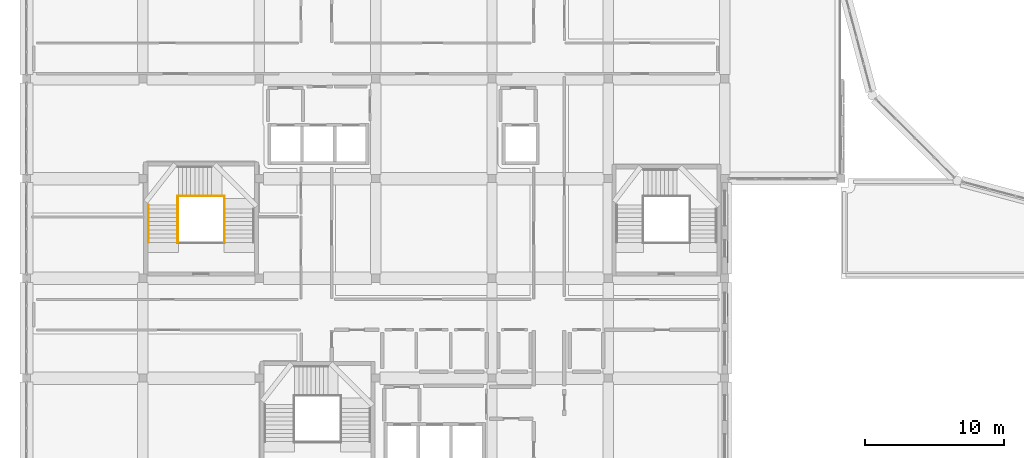
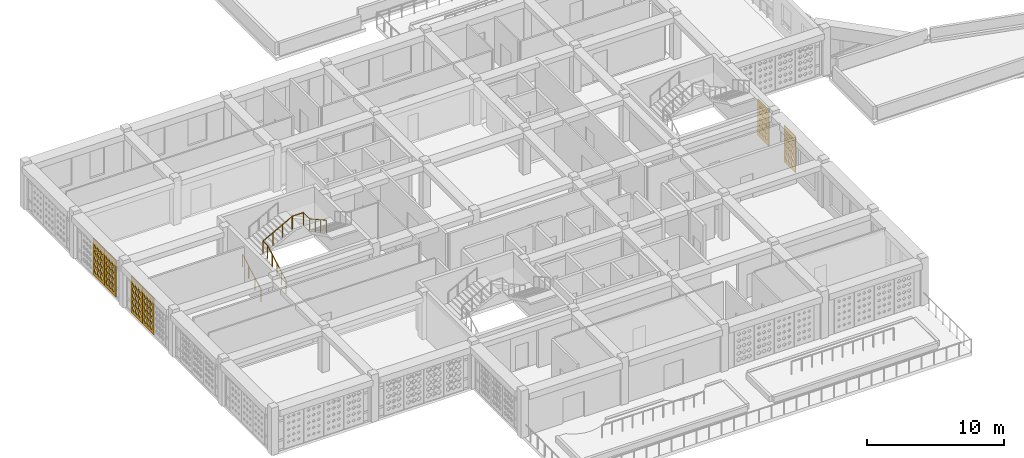
# One storey, part 40 of 48: 6 coverings, 4 railings.
"""IFC4 building model written with IfcOpenShell, lengths in metres."""

from ifc_helpers import new_model, si_unit, derived_unit, direction, frame, origin, origin_2d, place, context, subcontext, project, spatial, polyline, circle, outline, extrude, material, layer, layer_set, type_object, element, save


model = new_model("IFC4")

# Units and contexts
model_context = context("Model", 3, precision=1e-05, world=origin(), true_north=direction((0.0, 1.0)))
body_context = subcontext(model_context, "Body", "Model", "MODEL_VIEW")
ifc_project = project(units=[si_unit("LENGTHUNIT", "METRE"), si_unit("AREAUNIT", "SQUARE_METRE"), si_unit("VOLUMEUNIT", "CUBIC_METRE"), si_unit("PLANEANGLEUNIT", "RADIAN"), si_unit("MASSUNIT", "GRAM", prefix="KILO"), derived_unit("THERMALTRANSMITTANCEUNIT", [(si_unit("POWERUNIT", "WATT"), 1), (si_unit("LENGTHUNIT", "METRE"), -2), (si_unit("THERMODYNAMICTEMPERATUREUNIT", "KELVIN"), -1)])], contexts=[model_context])

# Site, building, storey
site_placement = place(None, origin())
site = spatial("IfcSite", under=ifc_project, at=site_placement, CompositionType="ELEMENT")
building_placement = place(site_placement, origin())
building = spatial("IfcBuilding", under=site, at=building_placement, Name="Veybourne Emporium", CompositionType="ELEMENT")
storey_placement = place(building_placement, frame((0.0, 0.0, 27.89990234375)))
storey = spatial("IfcBuildingStorey", under=building, at=storey_placement, Name="L06", CompositionType="ELEMENT", Elevation=27.89990234375)

# Railings
ifc_material_1 = material(Name="Brushed Stainless Steel", Category="steel")
railing_type_1 = type_object("IfcRailingType", Name="Guard_GR-01", PredefinedType="GUARDRAIL", material=ifc_material_1)
railing_1_placement = place(storey_placement, frame((10.909912109375, 31.39990234375, 0.0)))
element("IfcRailing", 1, at=railing_1_placement, inside=storey, type_object=railing_type_1, Name="L06 ST-02 stair guard 1", PredefinedType="GUARDRAIL", context=body_context, shape_type="SweptSolid", body=[
    extrude(circle(Radius=0.02392578125, at=origin_2d()), frame((0.0, 0.0, 1.1259765625), z_axis=(0.0, 0.874172188743, 0.48561608749), x_axis=(-1.0, 0.0, 0.0)), (0.0, 0.0, 1.0), 3.0888671875),
    extrude(circle(Radius=0.02392578125, at=origin_2d()), frame((0.0, 2.7001953125, 2.6259765625), z_axis=(0.0, 1.0, 0.0), x_axis=(-1.0, 0.0, 0.0)), (0.0, 0.0, 1.0), 0.639892578125),
    extrude(circle(Radius=0.02099609375, at=origin_2d()), origin(), (0.0, 0.0, 1.0), 1.101806640625),
    extrude(circle(Radius=0.02099609375, at=origin_2d()), frame((0.0, 0.675048828125, 0.375)), (0.0, 0.0, 1.0), 1.101806640625),
    extrude(circle(Radius=0.02099609375, at=origin_2d()), frame((0.0, 1.35009765625, 0.75)), (0.0, 0.0, 1.0), 1.101806640625),
    extrude(circle(Radius=0.02099609375, at=origin_2d()), frame((0.0, 2.025146484375, 1.125)), (0.0, 0.0, 1.0), 1.101806640625),
    extrude(circle(Radius=0.02099609375, at=origin_2d()), frame((0.0, 2.7001953125, 1.5)), (0.0, 0.0, 1.0), 1.101806640625),
    extrude(circle(Radius=0.02099609375, at=origin_2d()), frame((0.0, 3.340087890625, 1.5)), (0.0, 0.0, 1.0), 1.101806640625),
])
railing_2_placement = place(storey_placement, frame((10.909912109375, 34.739990234375, 1.5)))
element("IfcRailing", 2, at=railing_2_placement, inside=storey, type_object=railing_type_1, Name="L06 ST-02 stair guard 2", PredefinedType="GUARDRAIL", context=body_context, shape_type="SweptSolid", body=[
    extrude(circle(Radius=0.02392578125, at=origin_2d()), frame((0.0, 0.0, 1.1259765625), z_axis=(0.875002482228, 0.0, 0.484118431888), x_axis=(0.0, 1.0, 0.0)), (0.0, 0.0, 1.0), 2.788818359375),
    extrude(circle(Radius=0.02392578125, at=origin_2d()), frame((2.440185546875, 0.0, 2.47607421875), z_axis=(1.0, 0.0, 0.0), x_axis=(0.0, 1.0, 0.0)), (0.0, 0.0, 1.0), 0.93994140625),
    extrude(circle(Radius=0.02099609375, at=origin_2d()), origin(), (0.0, 0.0, 1.0), 1.101806640625),
    extrude(circle(Radius=0.02099609375, at=origin_2d()), frame((0.8134765625, 0.0, 0.449951171875)), (0.0, 0.0, 1.0), 1.101806640625),
    extrude(circle(Radius=0.02099609375, at=origin_2d()), frame((1.626708984375, 0.0, 0.900146484375)), (0.0, 0.0, 1.0), 1.101806640625),
    extrude(circle(Radius=0.02099609375, at=origin_2d()), frame((2.440185546875, 0.0, 1.35009765625)), (0.0, 0.0, 1.0), 1.101806640625),
    extrude(circle(Radius=0.02099609375, at=origin_2d()), frame((3.380126953125, 0.0, 1.35009765625)), (0.0, 0.0, 1.0), 1.101806640625),
])
railing_3_placement = place(storey_placement, frame((14.2900390625, 34.739990234375, 2.85009765625)))
element("IfcRailing", 3, at=railing_3_placement, inside=storey, type_object=railing_type_1, Name="L06 ST-02 stair guard 3", PredefinedType="GUARDRAIL", context=body_context, shape_type="SweptSolid", body=[
    extrude(circle(Radius=0.02392578125, at=origin_2d()), frame((0.0, 0.0, 1.1259765625), z_axis=(0.0, -1.0, 0.0), x_axis=(1.0, 0.0, 0.0)), (0.0, 0.0, 1.0), 0.93994140625),
    extrude(circle(Radius=0.02392578125, at=origin_2d()), frame((0.0, -0.93994140625, 1.1259765625), z_axis=(0.0, -0.871573169458, 0.490265448795), x_axis=(1.0, 0.0, 0.0)), (0.0, 0.0, 1.0), 2.75390625),
    extrude(circle(Radius=0.02099609375, at=origin_2d()), origin(), (0.0, 0.0, 1.0), 1.101806640625),
    extrude(circle(Radius=0.02099609375, at=origin_2d()), frame((0.0, -0.93994140625, 0.0)), (0.0, 0.0, 1.0), 1.101806640625),
    extrude(circle(Radius=0.02099609375, at=origin_2d()), frame((0.0, -1.739990234375, 0.449951171875)), (0.0, 0.0, 1.0), 1.101806640625),
    extrude(circle(Radius=0.02099609375, at=origin_2d()), frame((0.0, -2.5400390625, 0.900146484375)), (0.0, 0.0, 1.0), 1.101806640625),
    extrude(circle(Radius=0.02099609375, at=origin_2d()), frame((0.0, -3.340087890625, 1.35009765625)), (0.0, 0.0, 1.0), 1.101806640625),
])
railing_type_2 = type_object("IfcRailingType", Name="Handrail_HR-01", PredefinedType="HANDRAIL", material=ifc_material_1)
railing_4_placement = place(storey_placement, frame((8.81005859375, 31.39990234375, 0.150146484375)))
element("IfcRailing", 4, at=railing_4_placement, inside=storey, type_object=railing_type_2, Name="L06 ST-02 pitch handrail 1", PredefinedType="HANDRAIL", context=body_context, shape_type="SweptSolid", body=[
    extrude(circle(Radius=0.02392578125, at=origin_2d()), frame((0.0, 0.0, 0.92578125), z_axis=(0.0, 0.874172188743, 0.48561608749), x_axis=(-1.0, 0.0, 0.0)), (0.0, 0.0, 1.0), 3.0888671875),
    extrude(circle(Radius=0.02099609375, at=origin_2d()), frame((0.0, 0.0, -0.14990234375)), (0.0, 0.0, 1.0), 1.0517578125),
    extrude(circle(Radius=0.02099609375, at=origin_2d()), frame((0.0, 0.900146484375, 0.35009765625)), (0.0, 0.0, 1.0), 1.0517578125),
    extrude(circle(Radius=0.02099609375, at=origin_2d()), frame((0.0, 1.800048828125, 0.85009765625)), (0.0, 0.0, 1.0), 1.0517578125),
    extrude(circle(Radius=0.02099609375, at=origin_2d()), frame((0.0, 2.7001953125, 1.35009765625)), (0.0, 0.0, 1.0), 1.0517578125),
])

# Coverings
ifc_material_2 = material(Name="Warm-White Perforated Aluminium Screen Alloy", Category="aluminium")
ifc_layer_1 = layer(ifc_material_2, 0.06005859375)
ifc_layer_set_1 = layer_set([ifc_layer_1], Name="Warm-White Perforated Aluminium Screen Alloy")
covering_type_1 = type_object("IfcCoveringType", Name="WaveScreen_SCR-01", PredefinedType="CLADDING", material=ifc_layer_set_1)
covering_1_placement = place(storey_placement, frame((-0.093017578125, 32.39990234375, 1.68017578125), z_axis=(1.0, 0.0, 0.0), x_axis=(0.0, 1.0, 0.0)))
element("IfcCovering", 5, at=covering_1_placement, inside=storey, type_object=covering_type_1, Name="L06 wave-perforated aluminium screen SCR-01 (4C.2)", PredefinedType="CLADDING", context=body_context, shape_type="SweptSolid", body=[
    extrude(outline(polyline([(-0.81982421875, -1.6201171875), (0.81982421875, -1.6201171875), (0.81982421875, 1.6201171875), (-0.81982421875, 1.6201171875), (-0.81982421875, -1.6201171875)]), holes=[polyline([(-0.433349609375, -0.879150390625), (-0.2470703125, -1.033203125), (-0.2470703125, -1.206787109375), (-0.433349609375, -1.36083984375), (-0.61962890625, -1.206787109375), (-0.61962890625, -1.033203125), (-0.433349609375, -0.879150390625)]), polyline([(-0.433349609375, -0.319091796875), (-0.2470703125, -0.473388671875), (-0.2470703125, -0.646728515625), (-0.433349609375, -0.80078125), (-0.61962890625, -0.646728515625), (-0.61962890625, -0.473388671875), (-0.433349609375, -0.319091796875)]), polyline([(-0.433349609375, 0.24072265625), (-0.2470703125, 0.086669921875), (-0.2470703125, -0.086669921875), (-0.433349609375, -0.24072265625), (-0.61962890625, -0.086669921875), (-0.61962890625, 0.086669921875), (-0.433349609375, 0.24072265625)]), polyline([(-0.433349609375, 0.80078125), (-0.2470703125, 0.646728515625), (-0.2470703125, 0.473388671875), (-0.433349609375, 0.319091796875), (-0.61962890625, 0.473388671875), (-0.61962890625, 0.646728515625), (-0.433349609375, 0.80078125)]), polyline([(-0.433349609375, 1.36083984375), (-0.2470703125, 1.206787109375), (-0.2470703125, 1.033203125), (-0.433349609375, 0.879150390625), (-0.61962890625, 1.033203125), (-0.61962890625, 1.206787109375), (-0.433349609375, 1.36083984375)]), polyline([(0.0, -0.879150390625), (0.186279296875, -1.033203125), (0.186279296875, -1.206787109375), (0.0, -1.36083984375), (-0.186279296875, -1.206787109375), (-0.186279296875, -1.033203125), (0.0, -0.879150390625)]), polyline([(0.0, -0.319091796875), (0.186279296875, -0.473388671875), (0.186279296875, -0.646728515625), (0.0, -0.80078125), (-0.186279296875, -0.646728515625), (-0.186279296875, -0.473388671875), (0.0, -0.319091796875)]), polyline([(0.0, 0.24072265625), (0.186279296875, 0.086669921875), (0.186279296875, -0.086669921875), (0.0, -0.24072265625), (-0.186279296875, -0.086669921875), (-0.186279296875, 0.086669921875), (0.0, 0.24072265625)]), polyline([(0.0, 0.80078125), (0.186279296875, 0.646728515625), (0.186279296875, 0.473388671875), (0.0, 0.319091796875), (-0.186279296875, 0.473388671875), (-0.186279296875, 0.646728515625), (0.0, 0.80078125)]), polyline([(0.0, 1.36083984375), (0.186279296875, 1.206787109375), (0.186279296875, 1.033203125), (0.0, 0.879150390625), (-0.186279296875, 1.033203125), (-0.186279296875, 1.206787109375), (0.0, 1.36083984375)]), polyline([(0.433349609375, -0.879150390625), (0.61962890625, -1.033203125), (0.61962890625, -1.206787109375), (0.433349609375, -1.36083984375), (0.2470703125, -1.206787109375), (0.2470703125, -1.033203125), (0.433349609375, -0.879150390625)]), polyline([(0.433349609375, -0.319091796875), (0.61962890625, -0.473388671875), (0.61962890625, -0.646728515625), (0.433349609375, -0.80078125), (0.2470703125, -0.646728515625), (0.2470703125, -0.473388671875), (0.433349609375, -0.319091796875)]), polyline([(0.433349609375, 0.24072265625), (0.61962890625, 0.086669921875), (0.61962890625, -0.086669921875), (0.433349609375, -0.24072265625), (0.2470703125, -0.086669921875), (0.2470703125, 0.086669921875), (0.433349609375, 0.24072265625)]), polyline([(0.433349609375, 0.80078125), (0.61962890625, 0.646728515625), (0.61962890625, 0.473388671875), (0.433349609375, 0.319091796875), (0.2470703125, 0.473388671875), (0.2470703125, 0.646728515625), (0.433349609375, 0.80078125)]), polyline([(0.433349609375, 1.36083984375), (0.61962890625, 1.206787109375), (0.61962890625, 1.033203125), (0.433349609375, 0.879150390625), (0.2470703125, 1.033203125), (0.2470703125, 1.206787109375), (0.433349609375, 1.36083984375)])]), origin(), (0.0, 0.0, 1.0), 0.06005859375),
])
covering_2_placement = place(storey_placement, frame((-0.093994140625, 37.919921875, 1.68017578125), z_axis=(1.0, 0.0, 0.0), x_axis=(0.0, 1.0, 0.0)))
element("IfcCovering", 6, at=covering_2_placement, inside=storey, type_object=covering_type_1, Name="L06 wave-perforated aluminium screen SCR-01 (5C.1)", PredefinedType="CLADDING", context=body_context, shape_type="SweptSolid", body=[
    extrude(outline(polyline([(-0.81982421875, -1.6201171875), (0.81982421875, -1.6201171875), (0.81982421875, 1.6201171875), (-0.81982421875, 1.6201171875), (-0.81982421875, -1.6201171875)]), holes=[polyline([(-0.433349609375, -0.879150390625), (-0.2470703125, -1.033203125), (-0.2470703125, -1.206787109375), (-0.433349609375, -1.36083984375), (-0.61962890625, -1.206787109375), (-0.61962890625, -1.033203125), (-0.433349609375, -0.879150390625)]), polyline([(-0.433349609375, -0.319091796875), (-0.2470703125, -0.473388671875), (-0.2470703125, -0.646728515625), (-0.433349609375, -0.80078125), (-0.61962890625, -0.646728515625), (-0.61962890625, -0.473388671875), (-0.433349609375, -0.319091796875)]), polyline([(-0.433349609375, 0.24072265625), (-0.2470703125, 0.086669921875), (-0.2470703125, -0.086669921875), (-0.433349609375, -0.24072265625), (-0.61962890625, -0.086669921875), (-0.61962890625, 0.086669921875), (-0.433349609375, 0.24072265625)]), polyline([(-0.433349609375, 0.79443359375), (-0.2470703125, 0.644287109375), (-0.2470703125, 0.4755859375), (-0.433349609375, 0.32568359375), (-0.61962890625, 0.4755859375), (-0.61962890625, 0.644287109375), (-0.433349609375, 0.79443359375)]), polyline([(-0.433349609375, 1.3427734375), (-0.2470703125, 1.2001953125), (-0.2470703125, 1.039794921875), (-0.433349609375, 0.897216796875), (-0.61962890625, 1.039794921875), (-0.61962890625, 1.2001953125), (-0.433349609375, 1.3427734375)]), polyline([(0.0, -0.879150390625), (0.186279296875, -1.033203125), (0.186279296875, -1.206787109375), (0.0, -1.36083984375), (-0.186279296875, -1.206787109375), (-0.186279296875, -1.033203125), (0.0, -0.879150390625)]), polyline([(0.0, -0.319091796875), (0.186279296875, -0.473388671875), (0.186279296875, -0.646728515625), (0.0, -0.80078125), (-0.186279296875, -0.646728515625), (-0.186279296875, -0.473388671875), (0.0, -0.319091796875)]), polyline([(0.0, 0.239990234375), (0.186279296875, 0.08642578125), (0.186279296875, -0.08642578125), (0.0, -0.239990234375), (-0.186279296875, -0.08642578125), (-0.186279296875, 0.08642578125), (0.0, 0.239990234375)]), polyline([(0.0, 0.788818359375), (0.186279296875, 0.642333984375), (0.186279296875, 0.477783203125), (0.0, 0.331298828125), (-0.186279296875, 0.477783203125), (-0.186279296875, 0.642333984375), (0.0, 0.788818359375)]), polyline([(0.0, 1.336669921875), (0.186279296875, 1.197998046875), (0.186279296875, 1.0419921875), (0.0, 0.9033203125), (-0.186279296875, 1.0419921875), (-0.186279296875, 1.197998046875), (0.0, 1.336669921875)]), polyline([(0.433349609375, -0.879150390625), (0.61962890625, -1.033203125), (0.61962890625, -1.206787109375), (0.433349609375, -1.36083984375), (0.2470703125, -1.206787109375), (0.2470703125, -1.033203125), (0.433349609375, -0.879150390625)]), polyline([(0.433349609375, -0.319091796875), (0.61962890625, -0.473388671875), (0.61962890625, -0.646728515625), (0.433349609375, -0.80078125), (0.2470703125, -0.646728515625), (0.2470703125, -0.473388671875), (0.433349609375, -0.319091796875)]), polyline([(0.433349609375, 0.234619140625), (0.61962890625, 0.08447265625), (0.61962890625, -0.08447265625), (0.433349609375, -0.234619140625), (0.2470703125, -0.08447265625), (0.2470703125, 0.08447265625), (0.433349609375, 0.234619140625)]), polyline([(0.433349609375, 0.78271484375), (0.61962890625, 0.64013671875), (0.61962890625, 0.479736328125), (0.433349609375, 0.337158203125), (0.2470703125, 0.479736328125), (0.2470703125, 0.64013671875), (0.433349609375, 0.78271484375)]), polyline([(0.433349609375, 1.33056640625), (0.615478515625, 1.19580078125), (0.615478515625, 1.044189453125), (0.433349609375, 0.909423828125), (0.251220703125, 1.044189453125), (0.251220703125, 1.19580078125), (0.433349609375, 1.33056640625)])]), origin(), (0.0, 0.0, 1.0), 0.06005859375),
])
ifc_layer_2 = layer(ifc_material_2, 0.06005859375)
ifc_layer_set_2 = layer_set([ifc_layer_2], Name="Warm-White Perforated Aluminium Screen Alloy")
covering_type_2 = type_object("IfcCoveringType", Name="WaveScreen_SCR-02", PredefinedType="CLADDING", material=ifc_layer_set_2)
covering_3_placement = place(storey_placement, frame((-0.093017578125, 34.080078125, 1.68017578125), z_axis=(1.0, 0.0, 0.0), x_axis=(0.0, 1.0, 0.0)))
element("IfcCovering", 7, at=covering_3_placement, inside=storey, type_object=covering_type_2, Name="L06 wave-perforated aluminium screen SCR-02 (4C.3)", PredefinedType="CLADDING", context=body_context, shape_type="SweptSolid", body=[
    extrude(outline(polyline([(-0.81982421875, -1.6201171875), (0.81982421875, -1.6201171875), (0.81982421875, 1.6201171875), (-0.81982421875, 1.6201171875), (-0.81982421875, -1.6201171875)]), holes=[polyline([(-0.433349609375, -0.879150390625), (-0.2470703125, -1.033203125), (-0.2470703125, -1.206787109375), (-0.433349609375, -1.36083984375), (-0.61962890625, -1.206787109375), (-0.61962890625, -1.033203125), (-0.433349609375, -0.879150390625)]), polyline([(-0.433349609375, -0.319091796875), (-0.2470703125, -0.473388671875), (-0.2470703125, -0.646728515625), (-0.433349609375, -0.80078125), (-0.61962890625, -0.646728515625), (-0.61962890625, -0.473388671875), (-0.433349609375, -0.319091796875)]), polyline([(-0.433349609375, 0.24072265625), (-0.2470703125, 0.086669921875), (-0.2470703125, -0.086669921875), (-0.433349609375, -0.24072265625), (-0.61962890625, -0.086669921875), (-0.61962890625, 0.086669921875), (-0.433349609375, 0.24072265625)]), polyline([(-0.433349609375, 0.80078125), (-0.2470703125, 0.646728515625), (-0.2470703125, 0.473388671875), (-0.433349609375, 0.319091796875), (-0.61962890625, 0.473388671875), (-0.61962890625, 0.646728515625), (-0.433349609375, 0.80078125)]), polyline([(-0.433349609375, 1.36083984375), (-0.2470703125, 1.206787109375), (-0.2470703125, 1.033203125), (-0.433349609375, 0.879150390625), (-0.61962890625, 1.033203125), (-0.61962890625, 1.206787109375), (-0.433349609375, 1.36083984375)]), polyline([(0.0, -0.879150390625), (0.186279296875, -1.033203125), (0.186279296875, -1.206787109375), (0.0, -1.36083984375), (-0.186279296875, -1.206787109375), (-0.186279296875, -1.033203125), (0.0, -0.879150390625)]), polyline([(0.0, -0.319091796875), (0.186279296875, -0.473388671875), (0.186279296875, -0.646728515625), (0.0, -0.80078125), (-0.186279296875, -0.646728515625), (-0.186279296875, -0.473388671875), (0.0, -0.319091796875)]), polyline([(0.0, 0.24072265625), (0.186279296875, 0.086669921875), (0.186279296875, -0.086669921875), (0.0, -0.24072265625), (-0.186279296875, -0.086669921875), (-0.186279296875, 0.086669921875), (0.0, 0.24072265625)]), polyline([(0.0, 0.80078125), (0.186279296875, 0.646728515625), (0.186279296875, 0.473388671875), (0.0, 0.319091796875), (-0.186279296875, 0.473388671875), (-0.186279296875, 0.646728515625), (0.0, 0.80078125)]), polyline([(0.0, 1.36083984375), (0.186279296875, 1.206787109375), (0.186279296875, 1.033203125), (0.0, 0.879150390625), (-0.186279296875, 1.033203125), (-0.186279296875, 1.206787109375), (0.0, 1.36083984375)]), polyline([(0.433349609375, -0.879150390625), (0.61962890625, -1.033203125), (0.61962890625, -1.206787109375), (0.433349609375, -1.36083984375), (0.2470703125, -1.206787109375), (0.2470703125, -1.033203125), (0.433349609375, -0.879150390625)]), polyline([(0.433349609375, -0.319091796875), (0.61962890625, -0.473388671875), (0.61962890625, -0.646728515625), (0.433349609375, -0.80078125), (0.2470703125, -0.646728515625), (0.2470703125, -0.473388671875), (0.433349609375, -0.319091796875)]), polyline([(0.433349609375, 0.24072265625), (0.61962890625, 0.086669921875), (0.61962890625, -0.086669921875), (0.433349609375, -0.24072265625), (0.2470703125, -0.086669921875), (0.2470703125, 0.086669921875), (0.433349609375, 0.24072265625)]), polyline([(0.433349609375, 0.80078125), (0.61962890625, 0.646728515625), (0.61962890625, 0.473388671875), (0.433349609375, 0.319091796875), (0.2470703125, 0.473388671875), (0.2470703125, 0.646728515625), (0.433349609375, 0.80078125)]), polyline([(0.433349609375, 1.36083984375), (0.61962890625, 1.206787109375), (0.61962890625, 1.033203125), (0.433349609375, 0.879150390625), (0.2470703125, 1.033203125), (0.2470703125, 1.206787109375), (0.433349609375, 1.36083984375)])]), origin(), (0.0, 0.0, 1.0), 0.06005859375),
])
covering_4_placement = place(storey_placement, frame((-0.093994140625, 39.60009765625, 1.68017578125), z_axis=(1.0, 0.0, 0.0), x_axis=(0.0, 1.0, 0.0)))
element("IfcCovering", 8, at=covering_4_placement, inside=storey, type_object=covering_type_2, Name="L06 wave-perforated aluminium screen SCR-02 (5C.2)", PredefinedType="CLADDING", context=body_context, shape_type="SweptSolid", body=[
    extrude(outline(polyline([(-0.81982421875, -1.6201171875), (0.81982421875, -1.6201171875), (0.81982421875, 1.6201171875), (-0.81982421875, 1.6201171875), (-0.81982421875, -1.6201171875)]), holes=[polyline([(-0.433349609375, -0.879150390625), (-0.2470703125, -1.033203125), (-0.2470703125, -1.206787109375), (-0.433349609375, -1.36083984375), (-0.61962890625, -1.206787109375), (-0.61962890625, -1.033203125), (-0.433349609375, -0.879150390625)]), polyline([(-0.433349609375, -0.32470703125), (-0.2470703125, -0.475341796875), (-0.2470703125, -0.644775390625), (-0.433349609375, -0.795166015625), (-0.61962890625, -0.644775390625), (-0.61962890625, -0.475341796875), (-0.433349609375, -0.32470703125)]), polyline([(-0.433349609375, 0.2236328125), (-0.2470703125, 0.08056640625), (-0.2470703125, -0.08056640625), (-0.433349609375, -0.2236328125), (-0.61962890625, -0.08056640625), (-0.61962890625, 0.08056640625), (-0.433349609375, 0.2236328125)]), polyline([(-0.433349609375, 0.771240234375), (-0.25048828125, 0.635986328125), (-0.25048828125, 0.48388671875), (-0.433349609375, 0.3486328125), (-0.6162109375, 0.48388671875), (-0.6162109375, 0.635986328125), (-0.433349609375, 0.771240234375)]), polyline([(-0.433349609375, 1.318603515625), (-0.260986328125, 1.19140625), (-0.260986328125, 1.048583984375), (-0.433349609375, 0.92138671875), (-0.605712890625, 1.048583984375), (-0.605712890625, 1.19140625), (-0.433349609375, 1.318603515625)]), polyline([(0.0, -0.87939453125), (0.186279296875, -1.033447265625), (0.186279296875, -1.20654296875), (0.0, -1.360595703125), (-0.186279296875, -1.20654296875), (-0.186279296875, -1.033447265625), (0.0, -0.87939453125)]), polyline([(0.0, -0.330322265625), (0.186279296875, -0.477294921875), (0.186279296875, -0.642578125), (0.0, -0.78955078125), (-0.186279296875, -0.642578125), (-0.186279296875, -0.477294921875), (0.0, -0.330322265625)]), polyline([(0.0, 0.217529296875), (0.186279296875, 0.078369140625), (0.186279296875, -0.078369140625), (0.0, -0.217529296875), (-0.186279296875, -0.078369140625), (-0.186279296875, 0.078369140625), (0.0, 0.217529296875)]), polyline([(0.0, 0.764892578125), (0.177734375, 0.6337890625), (0.177734375, 0.486083984375), (0.0, 0.35498046875), (-0.177734375, 0.486083984375), (-0.177734375, 0.6337890625), (0.0, 0.764892578125)]), polyline([(0.0, 1.31201171875), (0.167236328125, 1.189208984375), (0.167236328125, 1.05078125), (0.0, 0.927978515625), (-0.167236328125, 1.05078125), (-0.167236328125, 1.189208984375), (0.0, 1.31201171875)]), polyline([(0.433349609375, -0.884765625), (0.61962890625, -1.035400390625), (0.61962890625, -1.20458984375), (0.433349609375, -1.355224609375), (0.2470703125, -1.20458984375), (0.2470703125, -1.035400390625), (0.433349609375, -0.884765625)]), polyline([(0.433349609375, -0.336181640625), (0.61962890625, -0.4794921875), (0.61962890625, -0.640380859375), (0.433349609375, -0.78369140625), (0.2470703125, -0.640380859375), (0.2470703125, -0.4794921875), (0.433349609375, -0.336181640625)]), polyline([(0.433349609375, 0.21142578125), (0.6162109375, 0.076171875), (0.6162109375, -0.076171875), (0.433349609375, -0.21142578125), (0.25048828125, -0.076171875), (0.25048828125, 0.076171875), (0.433349609375, 0.21142578125)]), polyline([(0.433349609375, 0.758544921875), (0.605712890625, 0.631591796875), (0.605712890625, 0.488525390625), (0.433349609375, 0.361328125), (0.2607421875, 0.488525390625), (0.2607421875, 0.631591796875), (0.433349609375, 0.758544921875)]), polyline([(0.433349609375, 1.3056640625), (0.59521484375, 1.18701171875), (0.59521484375, 1.052978515625), (0.433349609375, 0.934326171875), (0.271484375, 1.052978515625), (0.271484375, 1.18701171875), (0.433349609375, 1.3056640625)])]), origin(), (0.0, 0.0, 1.0), 0.06005859375),
])
ifc_layer_3 = layer(ifc_material_2, 0.06005859375)
ifc_layer_set_3 = layer_set([ifc_layer_3], Name="Warm-White Perforated Aluminium Screen Alloy")
covering_type_3 = type_object("IfcCoveringType", Name="WaveScreen_SCR-03", PredefinedType="CLADDING", material=ifc_layer_set_3)
covering_5_placement = place(storey_placement, frame((50.64794921875, 30.719970703125, 1.68017578125), z_axis=(-1.0, 0.0, 0.0), x_axis=(0.0, -1.0, 0.0)))
element("IfcCovering", 9, at=covering_5_placement, inside=storey, type_object=covering_type_3, Name="L06 wave-perforated aluminium screen SCR-03 (21.3)", PredefinedType="CLADDING", context=body_context, shape_type="SweptSolid", body=[
    extrude(outline(polyline([(-0.81982421875, -1.6201171875), (0.81982421875, -1.6201171875), (0.81982421875, 1.6201171875), (-0.81982421875, 1.6201171875), (-0.81982421875, -1.6201171875)]), holes=[polyline([(-0.433349609375, -0.98046875), (-0.30908203125, -1.06982421875), (-0.30908203125, -1.170166015625), (-0.433349609375, -1.259521484375), (-0.5576171875, -1.170166015625), (-0.5576171875, -1.06982421875), (-0.433349609375, -0.98046875)]), polyline([(-0.433349609375, -0.4296875), (-0.316650390625, -0.51318359375), (-0.316650390625, -0.60693359375), (-0.433349609375, -0.690185546875), (-0.550048828125, -0.60693359375), (-0.550048828125, -0.51318359375), (-0.433349609375, -0.4296875)]), polyline([(-0.433349609375, 0.12255859375), (-0.322998046875, 0.044189453125), (-0.322998046875, -0.044189453125), (-0.433349609375, -0.12255859375), (-0.543701171875, -0.044189453125), (-0.543701171875, 0.044189453125), (-0.433349609375, 0.12255859375)]), polyline([(-0.433349609375, 0.676513671875), (-0.327880859375, 0.60205078125), (-0.327880859375, 0.51806640625), (-0.433349609375, 0.443359375), (-0.538818359375, 0.51806640625), (-0.538818359375, 0.60205078125), (-0.433349609375, 0.676513671875)]), polyline([(-0.433349609375, 1.232421875), (-0.331298828125, 1.160400390625), (-0.331298828125, 1.07958984375), (-0.433349609375, 1.007568359375), (-0.535400390625, 1.07958984375), (-0.535400390625, 1.160400390625), (-0.433349609375, 1.232421875)]), polyline([(0.0, -0.975341796875), (0.12841796875, -1.06787109375), (0.12841796875, -1.172119140625), (0.0, -1.2646484375), (-0.12841796875, -1.172119140625), (-0.12841796875, -1.06787109375), (0.0, -0.975341796875)]), polyline([(0.0, -0.42529296875), (0.120361328125, -0.511474609375), (0.120361328125, -0.6083984375), (0.0, -0.69482421875), (-0.120361328125, -0.6083984375), (-0.120361328125, -0.511474609375), (0.0, -0.42529296875)]), polyline([(0.0, 0.126220703125), (0.11328125, 0.04541015625), (0.11328125, -0.04541015625), (0.0, -0.126220703125), (-0.11328125, -0.04541015625), (-0.11328125, 0.04541015625), (0.0, 0.126220703125)]), polyline([(0.0, 0.679443359375), (0.107666015625, 0.60302734375), (0.107666015625, 0.51708984375), (0.0, 0.440673828125), (-0.107666015625, 0.51708984375), (-0.107666015625, 0.60302734375), (0.0, 0.679443359375)]), polyline([(0.0, 1.234375), (0.103515625, 1.1611328125), (0.103515625, 1.078857421875), (0.0, 1.005615234375), (-0.103515625, 1.078857421875), (-0.103515625, 1.1611328125), (0.0, 1.234375)]), polyline([(0.433349609375, -0.969970703125), (0.566162109375, -1.06591796875), (0.566162109375, -1.174072265625), (0.433349609375, -1.27001953125), (0.300537109375, -1.174072265625), (0.300537109375, -1.06591796875), (0.433349609375, -0.969970703125)]), polyline([(0.433349609375, -0.42041015625), (0.5576171875, -0.509765625), (0.5576171875, -0.610107421875), (0.433349609375, -0.699462890625), (0.30908203125, -0.610107421875), (0.30908203125, -0.509765625), (0.433349609375, -0.42041015625)]), polyline([(0.433349609375, 0.13037109375), (0.5498046875, 0.046875), (0.5498046875, -0.046875), (0.433349609375, -0.13037109375), (0.316650390625, -0.046875), (0.316650390625, 0.046875), (0.433349609375, 0.13037109375)]), polyline([(0.433349609375, 0.6826171875), (0.543701171875, 0.60400390625), (0.543701171875, 0.515869140625), (0.433349609375, 0.4375), (0.322998046875, 0.515869140625), (0.322998046875, 0.60400390625), (0.433349609375, 0.6826171875)]), polyline([(0.433349609375, 1.236572265625), (0.538818359375, 1.162109375), (0.538818359375, 1.077880859375), (0.433349609375, 1.00341796875), (0.327880859375, 1.077880859375), (0.327880859375, 1.162109375), (0.433349609375, 1.236572265625)])]), origin(), (0.0, 0.0, 1.0), 0.06005859375),
])
ifc_layer_4 = layer(ifc_material_2, 0.06005859375)
ifc_layer_set_4 = layer_set([ifc_layer_4], Name="Warm-White Perforated Aluminium Screen Alloy")
covering_type_4 = type_object("IfcCoveringType", Name="WaveScreen_SCR-04", PredefinedType="CLADDING", material=ifc_layer_set_4)
covering_6_placement = place(storey_placement, frame((50.64794921875, 26.8798828125, 1.68017578125), z_axis=(-1.0, 0.0, 0.0), x_axis=(0.0, -1.0, 0.0)))
element("IfcCovering", 10, at=covering_6_placement, inside=storey, type_object=covering_type_4, Name="L06 wave-perforated aluminium screen SCR-04 (20.1)", PredefinedType="CLADDING", context=body_context, shape_type="SweptSolid", body=[
    extrude(outline(polyline([(-0.81982421875, -1.6201171875), (0.81982421875, -1.6201171875), (0.81982421875, 1.6201171875), (-0.81982421875, 1.6201171875), (-0.81982421875, -1.6201171875)]), holes=[polyline([(-0.433349609375, -0.927978515625), (-0.26611328125, -1.05078125), (-0.26611328125, -1.189208984375), (-0.433349609375, -1.31201171875), (-0.6005859375, -1.189208984375), (-0.6005859375, -1.05078125), (-0.433349609375, -0.927978515625)]), polyline([(-0.433349609375, -0.380859375), (-0.276611328125, -0.49560546875), (-0.276611328125, -0.62451171875), (-0.433349609375, -0.7392578125), (-0.58984375, -0.62451171875), (-0.58984375, -0.49560546875), (-0.433349609375, -0.380859375)]), polyline([(-0.433349609375, 0.16650390625), (-0.287109375, 0.06005859375), (-0.287109375, -0.06005859375), (-0.433349609375, -0.16650390625), (-0.57958984375, -0.06005859375), (-0.57958984375, 0.06005859375), (-0.433349609375, 0.16650390625)]), polyline([(-0.433349609375, 0.714599609375), (-0.296630859375, 0.61572265625), (-0.296630859375, 0.50439453125), (-0.433349609375, 0.4052734375), (-0.56982421875, 0.50439453125), (-0.56982421875, 0.61572265625), (-0.433349609375, 0.714599609375)]), polyline([(-0.433349609375, 1.263671875), (-0.3056640625, 1.171630859375), (-0.3056640625, 1.068359375), (-0.433349609375, 0.976318359375), (-0.560791015625, 1.068359375), (-0.560791015625, 1.171630859375), (-0.433349609375, 1.263671875)]), polyline([(0.0, -0.92138671875), (0.17236328125, -1.048583984375), (0.17236328125, -1.19140625), (0.0, -1.318603515625), (-0.17236328125, -1.19140625), (-0.17236328125, -1.048583984375), (0.0, -0.92138671875)]), polyline([(0.0, -0.37451171875), (0.161865234375, -0.4931640625), (0.161865234375, -0.626708984375), (0.0, -0.74560546875), (-0.161865234375, -0.626708984375), (-0.161865234375, -0.4931640625), (0.0, -0.37451171875)]), polyline([(0.0, 0.1728515625), (0.1513671875, 0.062255859375), (0.1513671875, -0.062255859375), (0.0, -0.1728515625), (-0.1513671875, -0.062255859375), (-0.1513671875, 0.062255859375), (0.0, 0.1728515625)]), polyline([(0.0, 0.720458984375), (0.141357421875, 0.617919921875), (0.141357421875, 0.502197265625), (0.0, 0.3994140625), (-0.141357421875, 0.502197265625), (-0.141357421875, 0.617919921875), (0.0, 0.720458984375)]), polyline([(0.0, 1.26904296875), (0.132080078125, 1.173583984375), (0.132080078125, 1.06640625), (0.0, 0.970947265625), (-0.132080078125, 1.06640625), (-0.132080078125, 1.173583984375), (0.0, 1.26904296875)]), polyline([(0.433349609375, -0.9150390625), (0.611083984375, -1.046142578125), (0.611083984375, -1.19384765625), (0.433349609375, -1.324951171875), (0.255615234375, -1.19384765625), (0.255615234375, -1.046142578125), (0.433349609375, -0.9150390625)]), polyline([(0.433349609375, -0.367919921875), (0.600341796875, -0.490966796875), (0.600341796875, -0.629150390625), (0.433349609375, -0.751953125), (0.26611328125, -0.629150390625), (0.26611328125, -0.490966796875), (0.433349609375, -0.367919921875)]), polyline([(0.433349609375, 0.17919921875), (0.58984375, 0.064453125), (0.58984375, -0.064453125), (0.433349609375, -0.17919921875), (0.27685546875, -0.064453125), (0.27685546875, 0.064453125), (0.433349609375, 0.17919921875)]), polyline([(0.433349609375, 0.7265625), (0.57958984375, 0.6201171875), (0.57958984375, 0.5), (0.433349609375, 0.393310546875), (0.287109375, 0.5), (0.287109375, 0.6201171875), (0.433349609375, 0.7265625)]), polyline([(0.433349609375, 1.274658203125), (0.56982421875, 1.17578125), (0.56982421875, 1.064208984375), (0.433349609375, 0.96533203125), (0.296875, 1.064208984375), (0.296875, 1.17578125), (0.433349609375, 1.274658203125)])]), origin(), (0.0, 0.0, 1.0), 0.06005859375),
])

save(model, "model.ifc")
